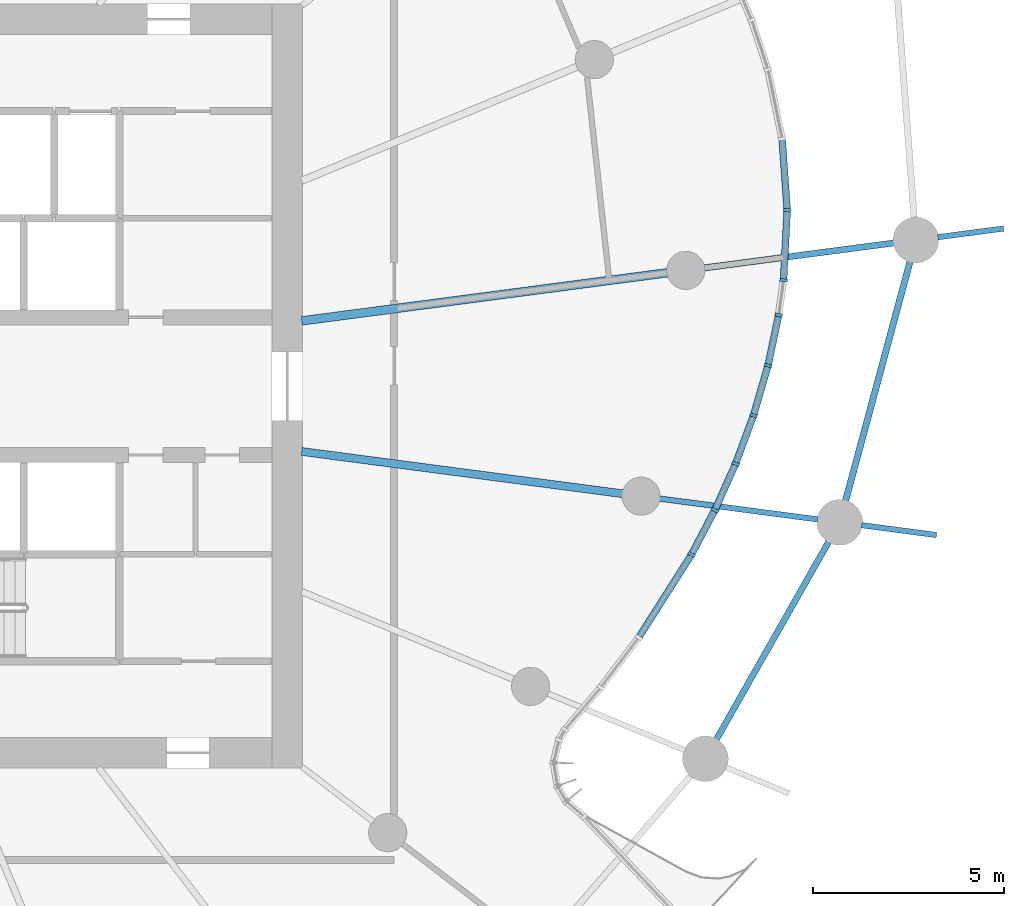
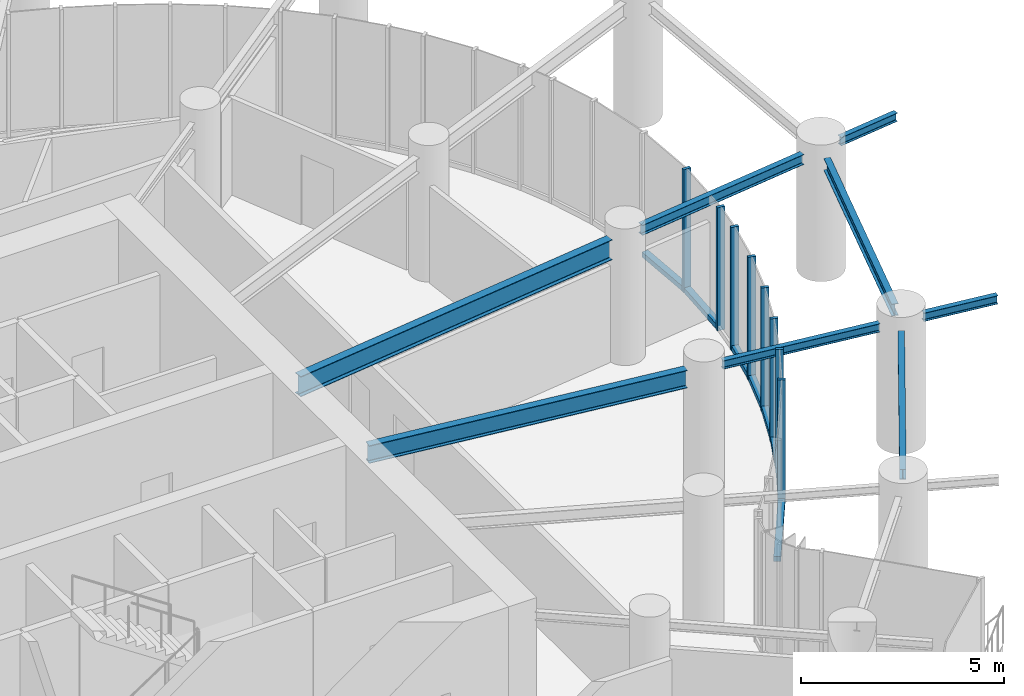
# One storey, part 5 of 21: 16 members, 8 beams, 2 elements without a shape of their own.
"""IFC4 building model written with IfcOpenShell, lengths in metres."""

from ifc_helpers import new_model, si_unit, direction, frame, origin, origin_2d, place, context, subcontext, project, spatial, rectangle, i_section, extrude, source, transform, mapped, material, layer, layer_set, material_profile, profile_set, type_object, element, aggregate, save


model = new_model("IFC4")

# Units and contexts
model_context = context("Model", 3, precision=1e-05, world=origin(), true_north=direction((0.0, 1.0)))
body_context = subcontext(model_context, "Body", "Model", "MODEL_VIEW")
ifc_project = project(units=[si_unit("LENGTHUNIT", "METRE"), si_unit("AREAUNIT", "SQUARE_METRE"), si_unit("VOLUMEUNIT", "CUBIC_METRE"), si_unit("PLANEANGLEUNIT", "RADIAN"), si_unit("MASSUNIT", "GRAM", prefix="KILO")], contexts=[model_context])

# Site, building, storey
site_placement = place(None, origin())
site = spatial("IfcSite", under=ifc_project, at=site_placement, CompositionType="ELEMENT")
building_placement = place(site_placement, origin())
building = spatial("IfcBuilding", under=site, at=building_placement, Name="Spindrift Exchange Tower", CompositionType="ELEMENT")
storey_placement = place(building_placement, frame((0.0, 0.0, 83.89990234375)))
storey = spatial("IfcBuildingStorey", under=building, at=storey_placement, Name="L19", CompositionType="ELEMENT", Elevation=83.89990234375)

# Beams
ifc_material_1 = material(Name="Steel Grade 300", Category="steel")
ifc_material_profile_1 = material_profile(ifc_material_1, i_section(OverallWidth=0.22802734375, OverallDepth=0.60693359375, WebThickness=0.01123046875, FlangeThickness=0.017333984375, FilletRadius=0.013916015625, at=origin_2d()), Name="610UB113")
ifc_profile_set_1 = profile_set([ifc_material_profile_1], Name="Steel Grade 300")
beam_type_1 = type_object("IfcBeamType", Name="Floor Beam 610UB113 Steel Grade 300", PredefinedType="BEAM", material=ifc_profile_set_1)
shared_shape_1 = source(origin(), body_context, "Body", "SweptSolid", [
    extrude(i_section(OverallWidth=0.22802734375, OverallDepth=0.60693359375, WebThickness=0.01123046875, FlangeThickness=0.017333984375, FilletRadius=0.013916015625, at=origin_2d()), origin(), (0.0, 0.0, 1.0), 9.660400390625),
])
beam_1_placement = place(storey_placement, frame((64.980224609375, 49.708984375, 3.396484375), z_axis=(0.99144767089, 0.130504850054, 0.0), x_axis=(-0.130504850054, 0.99144767089, 0.0)))
element("IfcBeam", 1, at=beam_1_placement, inside=storey, type_object=beam_type_1, Name="L19 radial beam R01A", PredefinedType="BEAM", context=body_context, shape_type="MappedRepresentation", body=[
    mapped(shared_shape_1, transform((0.0, 0.0, 0.0), scale=1.0)),
])
ifc_material_profile_2 = material_profile(ifc_material_1, i_section(OverallWidth=0.208984375, OverallDepth=0.532958984375, WebThickness=0.01025390625, FlangeThickness=0.015625, FilletRadius=0.013916015625, at=origin_2d()), Name="530UB92.4")
ifc_profile_set_2 = profile_set([ifc_material_profile_2], Name="Steel Grade 300")
beam_type_2 = type_object("IfcBeamType", Name="Floor Beam 530UB92.4 Steel Grade 300", PredefinedType="BEAM", material=ifc_profile_set_2)
shared_shape_2 = source(origin(), body_context, "Body", "SweptSolid", [
    extrude(i_section(OverallWidth=0.208984375, OverallDepth=0.532958984375, WebThickness=0.01025390625, FlangeThickness=0.015625, FilletRadius=0.013916015625, at=origin_2d()), origin(), (0.0, 0.0, 1.0), 8.4794921875),
])
beam_2_placement = place(storey_placement, frame((64.980224609375, 46.291015625, 3.43359375), z_axis=(0.991446551951, -0.13051335037, 0.0), x_axis=(0.13051335037, 0.991446551951, 0.0)))
element("IfcBeam", 2, at=beam_2_placement, inside=storey, type_object=beam_type_2, Name="L19 radial beam R24A", PredefinedType="BEAM", context=body_context, shape_type="MappedRepresentation", body=[
    mapped(shared_shape_2, transform((0.0, 0.0, 0.0), scale=1.0)),
])
ifc_material_profile_3 = material_profile(ifc_material_1, i_section(OverallWidth=0.1650390625, OverallDepth=0.303955078125, WebThickness=0.006103515625, FlangeThickness=0.01025390625, FilletRadius=0.011474609375, at=origin_2d()), Name="310UB40.4")
ifc_profile_set_3 = profile_set([ifc_material_profile_3], Name="Steel Grade 300")
beam_type_3 = type_object("IfcBeamType", Name="Floor Beam 310UB40.4 Steel Grade 300", PredefinedType="BEAM", material=ifc_profile_set_3)
shared_shape_3 = source(origin(), body_context, "Body", "SweptSolid", [
    extrude(i_section(OverallWidth=0.1650390625, OverallDepth=0.303955078125, WebThickness=0.006103515625, FlangeThickness=0.01025390625, FilletRadius=0.011474609375, at=origin_2d()), origin(), (0.0, 0.0, 1.0), 5.014404296875),
])
beam_3_placement = place(storey_placement, frame((75.509765625, 51.09521484375, 3.548095703125), z_axis=(0.99145015202, 0.13048599948, 0.0), x_axis=(-0.13048599948, 0.99145015202, 0.0)))
element("IfcBeam", 3, at=beam_3_placement, inside=storey, type_object=beam_type_3, Name="L19 radial beam R01B", PredefinedType="BEAM", context=body_context, shape_type="MappedRepresentation", body=[
    mapped(shared_shape_3, transform((0.0, 0.0, 0.0), scale=1.0)),
])
ifc_material_profile_4 = material_profile(ifc_material_1, i_section(OverallWidth=0.14599609375, OverallDepth=0.251953125, WebThickness=0.006103515625, FlangeThickness=0.008544921875, FilletRadius=0.011962890625, at=origin_2d()), Name="250UB31.4")
ifc_profile_set_4 = profile_set([ifc_material_profile_4], Name="Steel Grade 300")
beam_type_4 = type_object("IfcBeamType", Name="Floor Beam 250UB31.4 Steel Grade 300", PredefinedType="BEAM", material=ifc_profile_set_4)
shared_shape_4 = source(origin(), body_context, "Body", "SweptSolid", [
    extrude(i_section(OverallWidth=0.14599609375, OverallDepth=0.251953125, WebThickness=0.006103515625, FlangeThickness=0.008544921875, FilletRadius=0.011962890625, at=origin_2d()), origin(), (0.0, 0.0, 1.0), 4.186279296875),
])
beam_4_placement = place(storey_placement, frame((74.339111328125, 45.05908203125, 3.57421875), z_axis=(0.991445559167, -0.130520891848, 0.0), x_axis=(0.130520891848, 0.991445559167, 0.0)))
element("IfcBeam", 4, at=beam_4_placement, inside=storey, type_object=beam_type_4, Name="L19 radial beam R24B", PredefinedType="BEAM", context=body_context, shape_type="MappedRepresentation", body=[
    mapped(shared_shape_4, transform((0.0, 0.0, 0.0), scale=1.0)),
])
ifc_material_profile_5 = material_profile(ifc_material_1, i_section(OverallWidth=0.1650390625, OverallDepth=0.303955078125, WebThickness=0.006103515625, FlangeThickness=0.01025390625, FilletRadius=0.011474609375, at=origin_2d()), Name="310UB40.4")
ifc_profile_set_5 = profile_set([ifc_material_profile_5], Name="Steel Grade 300")
beam_type_5 = type_object("IfcBeamType", Name="Edge Beam 310UB40.4 Steel Grade 300", PredefinedType="SPANDREL", material=ifc_profile_set_5)
shared_shape_5 = source(origin(), body_context, "Body", "SweptSolid", [
    extrude(i_section(OverallWidth=0.1650390625, OverallDepth=0.303955078125, WebThickness=0.006103515625, FlangeThickness=0.01025390625, FilletRadius=0.011474609375, at=origin_2d()), origin(), (0.0, 0.0, 1.0), 5.9599609375),
])
beam_5_placement = place(storey_placement, frame((75.834228515625, 38.75048828125, 3.548095703125), z_axis=(0.493940434745, 0.869495742901, 0.0), x_axis=(-0.869495742901, 0.493940434745, 0.0)))
element("IfcBeam", 5, at=beam_5_placement, inside=storey, type_object=beam_type_5, Name="L19 edge beam E23", PredefinedType="SPANDREL", context=body_context, shape_type="MappedRepresentation", body=[
    mapped(shared_shape_5, transform((0.0, 0.0, 0.0), scale=1.0)),
])
ifc_material_profile_6 = material_profile(ifc_material_1, i_section(OverallWidth=0.172119140625, OverallDepth=0.35888671875, WebThickness=0.008056640625, FlangeThickness=0.012939453125, FilletRadius=0.013916015625, at=origin_2d()), Name="360UB56.7")
ifc_profile_set_6 = profile_set([ifc_material_profile_6], Name="Steel Grade 300")
beam_type_6 = type_object("IfcBeamType", Name="Edge Beam 360UB56.7 Steel Grade 300", PredefinedType="SPANDREL", material=ifc_profile_set_6)
shared_shape_6 = source(origin(), body_context, "Body", "SweptSolid", [
    extrude(i_section(OverallWidth=0.172119140625, OverallDepth=0.35888671875, WebThickness=0.008056640625, FlangeThickness=0.012939453125, FilletRadius=0.013916015625, at=origin_2d()), origin(), (0.0, 0.0, 1.0), 6.4921875),
])
beam_6_placement = place(storey_placement, frame((79.215576171875, 44.996826171875, 3.5205078125), z_axis=(0.260262058381, 0.965538016324, 0.0), x_axis=(-0.965538016324, 0.260262058381, 0.0)))
element("IfcBeam", 6, at=beam_6_placement, inside=storey, type_object=beam_type_6, Name="L19 edge beam E24", PredefinedType="SPANDREL", context=body_context, shape_type="MappedRepresentation", body=[
    mapped(shared_shape_6, transform((0.0, 0.0, 0.0), scale=1.0)),
])
ifc_material_profile_7 = material_profile(ifc_material_1, i_section(OverallWidth=0.14599609375, OverallDepth=0.251953125, WebThickness=0.006103515625, FlangeThickness=0.008544921875, FilletRadius=0.011962890625, at=origin_2d()), Name="250UB31.4")
ifc_profile_set_7 = profile_set([ifc_material_profile_7], Name="Steel Grade 300")
beam_type_7 = type_object("IfcBeamType", Name="Cantilever Beam 250UB31.4 Steel Grade 300", PredefinedType="BEAM", material=ifc_profile_set_7)
shared_shape_7 = source(origin(), body_context, "Body", "SweptSolid", [
    extrude(i_section(OverallWidth=0.14599609375, OverallDepth=0.251953125, WebThickness=0.006103515625, FlangeThickness=0.008544921875, FilletRadius=0.011962890625, at=origin_2d()), origin(), (0.0, 0.0, 1.0), 1.738037109375),
])
beam_7_placement = place(storey_placement, frame((81.63134765625, 51.90087890625, 3.57421875), z_axis=(0.991430373344, 0.130636192577, 0.0), x_axis=(-0.130636192577, 0.991430373344, 0.0)))
element("IfcBeam", 7, at=beam_7_placement, inside=storey, type_object=beam_type_7, Name="L19 cantilever beam R01T", PredefinedType="BEAM", context=body_context, shape_type="MappedRepresentation", body=[
    mapped(shared_shape_7, transform((0.0, 0.0, 0.0), scale=1.0)),
])
shared_shape_8 = source(origin(), body_context, "Body", "SweptSolid", [
    extrude(i_section(OverallWidth=0.14599609375, OverallDepth=0.251953125, WebThickness=0.006103515625, FlangeThickness=0.008544921875, FilletRadius=0.011962890625, at=origin_2d()), origin(), (0.0, 0.0, 1.0), 1.974609375),
])
beam_8_placement = place(storey_placement, frame((79.639404296875, 44.361083984375, 3.57421875), z_axis=(0.991456399539, -0.130438521201, 0.0), x_axis=(0.130438521201, 0.991456399539, 0.0)))
element("IfcBeam", 8, at=beam_8_placement, inside=storey, type_object=beam_type_7, Name="L19 cantilever beam R24T", PredefinedType="BEAM", context=body_context, shape_type="MappedRepresentation", body=[
    mapped(shared_shape_8, transform((0.0, 0.0, 0.0), scale=1.0)),
])

# Curtain wall, members
ifc_material_2 = material(Name="Fritted laminated glass with bronze frame", Category="glass")
ifc_layer = layer(ifc_material_2, 0.199951171875)
ifc_layer_set = layer_set([ifc_layer], Name="SKY GARDEN BRONZE GLAZED WALL")
curtain_wall_type = type_object("IfcCurtainWallType", Name="SKY GARDEN BRONZE GLAZED WALL", PredefinedType="NOTDEFINED", material=ifc_layer_set)
curtain_wall_1_placement = place(storey_placement, origin())
curtain_wall_1 = element("IfcCurtainWall", 9, at=curtain_wall_1_placement, inside=storey, type_object=curtain_wall_type, Name="L19 Sky Garden Bronze Glazed Wall run 8", PredefinedType="NOTDEFINED")
ifc_material_3 = material(Name="Bronze anodised aluminium", Category="aluminium")
ifc_material_profile_8 = material_profile(ifc_material_3, rectangle(XDim=0.179931640625, YDim=0.14990234375, at=origin_2d()), Name="SKY GARDEN BRONZE GLAZED WALL TRANSOM 180X150")
ifc_profile_set_8 = profile_set([ifc_material_profile_8], Name="Bronze anodised aluminium")
member_type_1 = type_object("IfcMemberType", Name="SKY GARDEN BRONZE GLAZED WALL TRANSOM 180X150", PredefinedType="USERDEFINED", material=ifc_profile_set_8)
shared_shape_9 = source(origin(), body_context, "Body", "SweptSolid", [
    extrude(rectangle(XDim=0.179931640625, YDim=0.14990234375, at=origin_2d()), origin(), (0.0, 0.0, 1.0), 2.4892578125),
])
member_1_placement = place(storey_placement, frame((73.826904296875, 41.455810546875, 0.0751953125), z_axis=(0.536761259427, 0.843734170446, 0.0), x_axis=(-0.843734170446, 0.536761259427, 0.0)))
member_1 = element("IfcMember", 10, at=member_1_placement, type_object=member_type_1, Name="L19 transom CW-G.44", ObjectType="TRANSOM", PredefinedType="USERDEFINED", context=body_context, shape_type="MappedRepresentation", body=[
    mapped(shared_shape_9, transform((0.0, 0.0, 0.0), scale=1.0)),
])
shared_shape_10 = source(origin(), body_context, "Body", "SweptSolid", [
    extrude(rectangle(XDim=0.179931640625, YDim=0.14990234375, at=origin_2d()), origin(), (0.0, 0.0, 1.0), 1.228515625),
])
member_2_placement = place(storey_placement, frame((75.205810546875, 43.629638671875, 0.0751953125), z_axis=(0.464066404538, 0.885800413287, 0.0), x_axis=(-0.885800413287, 0.464066404538, 0.0)))
member_2 = element("IfcMember", 11, at=member_2_placement, type_object=member_type_1, Name="L19 transom CW-G.45", ObjectType="TRANSOM", PredefinedType="USERDEFINED", context=body_context, shape_type="MappedRepresentation", body=[
    mapped(shared_shape_10, transform((0.0, 0.0, 0.0), scale=1.0)),
])
shared_shape_11 = source(origin(), body_context, "Body", "SweptSolid", [
    extrude(rectangle(XDim=0.179931640625, YDim=0.14990234375, at=origin_2d()), origin(), (0.0, 0.0, 1.0), 1.246826171875),
])
member_3_placement = place(storey_placement, frame((75.81298828125, 44.794189453125, 0.0751953125), z_axis=(0.408825392678, 0.912612622256, 0.0), x_axis=(-0.912612622256, 0.408825392678, 0.0)))
member_3 = element("IfcMember", 12, at=member_3_placement, type_object=member_type_1, Name="L19 transom CW-G.46", ObjectType="TRANSOM", PredefinedType="USERDEFINED", context=body_context, shape_type="MappedRepresentation", body=[
    mapped(shared_shape_11, transform((0.0, 0.0, 0.0), scale=1.0)),
])

curtain_wall_2_placement = place(storey_placement, origin())
curtain_wall_2 = element("IfcCurtainWall", 13, at=curtain_wall_2_placement, inside=storey, type_object=curtain_wall_type, Name="L19 Sky Garden Bronze Glazed Wall run 9", PredefinedType="NOTDEFINED")
shared_shape_12 = source(origin(), body_context, "Body", "SweptSolid", [
    extrude(rectangle(XDim=0.179931640625, YDim=0.14990234375, at=origin_2d()), origin(), (0.0, 0.0, 1.0), 1.266357421875),
])
member_4_placement = place(storey_placement, frame((77.197021484375, 48.5830078125, 0.0751953125), z_axis=(0.205339953671, 0.978690708767, 0.0), x_axis=(-0.978690708767, 0.205339953671, 0.0)))
member_4 = element("IfcMember", 14, at=member_4_placement, type_object=member_type_1, Name="L19 transom CW-G.49", ObjectType="TRANSOM", PredefinedType="USERDEFINED", context=body_context, shape_type="MappedRepresentation", body=[
    mapped(shared_shape_12, transform((0.0, 0.0, 0.0), scale=1.0)),
])
shared_shape_13 = source(origin(), body_context, "Body", "SweptSolid", [
    extrude(rectangle(XDim=0.179931640625, YDim=0.14990234375, at=origin_2d()), origin(), (0.0, 0.0, 1.0), 1.756103515625),
])
member_5_placement = place(storey_placement, frame((77.595458984375, 50.81494140625, 0.0751953125), z_axis=(0.052551536217, 0.998618213353, 0.0), x_axis=(-0.998618213353, 0.052551536217, 0.0)))
member_5 = element("IfcMember", 15, at=member_5_placement, type_object=member_type_1, Name="L19 transom CW-G.51", ObjectType="TRANSOM", PredefinedType="USERDEFINED", context=body_context, shape_type="MappedRepresentation", body=[
    mapped(shared_shape_13, transform((0.0, 0.0, 0.0), scale=1.0)),
])

# Member
ifc_material_profile_9 = material_profile(ifc_material_3, rectangle(XDim=0.0849609375, YDim=0.199951171875, at=origin_2d()), Name="SKY GARDEN BRONZE GLAZED WALL MULLION 85X200")
ifc_profile_set_9 = profile_set([ifc_material_profile_9], Name="Bronze anodised aluminium")
member_type_2 = type_object("IfcMemberType", Name="SKY GARDEN BRONZE GLAZED WALL MULLION 85X200", PredefinedType="MULLION", material=ifc_profile_set_9)
shared_shape_14 = source(origin(), body_context, "Body", "SweptSolid", [
    extrude(rectangle(XDim=0.0849609375, YDim=0.199951171875, at=origin_2d()), origin(), (0.0, 0.0, 1.0), 3.7001953125),
])
member_6_placement = place(storey_placement, frame((75.18603515625, 43.592041015625, 0.0), z_axis=(0.0, 0.0, 1.0), x_axis=(0.500939092037, 0.865482539436, 0.0)))
member_6 = element("IfcMember", 16, at=member_6_placement, type_object=member_type_2, Name="L19 mullion CW-G.45", PredefinedType="MULLION", context=body_context, shape_type="MappedRepresentation", body=[
    mapped(shared_shape_14, transform((0.0, 0.0, 0.0), scale=1.0)),
])

member_7_placement = place(storey_placement, frame((75.795654296875, 44.75537109375, 0.0), z_axis=(0.0, 0.0, 1.0), x_axis=(0.436694386363, 0.899609922644, 0.0)))
member_7 = element("IfcMember", 17, at=member_7_placement, type_object=member_type_2, Name="L19 mullion CW-G.46", PredefinedType="MULLION", context=body_context, shape_type="MappedRepresentation", body=[
    mapped(shared_shape_14, transform((0.0, 0.0, 0.0), scale=1.0)),
])

member_8_placement = place(storey_placement, frame((76.340087890625, 45.970703125, 0.0), z_axis=(0.0, 0.0, 1.0), x_axis=(0.378207848177, 0.925720704952, 0.0)))
member_8 = element("IfcMember", 18, at=member_8_placement, type_object=member_type_2, Name="L19 mullion CW-G.47", PredefinedType="MULLION", context=body_context, shape_type="MappedRepresentation", body=[
    mapped(shared_shape_14, transform((0.0, 0.0, 0.0), scale=1.0)),
])

member_9_placement = place(storey_placement, frame((76.80810546875, 47.234619140625, 0.0), z_axis=(0.0, 0.0, 1.0), x_axis=(0.313499587174, 0.949588336513, 0.0)))
member_9 = element("IfcMember", 19, at=member_9_placement, type_object=member_type_2, Name="L19 mullion CW-G.48", PredefinedType="MULLION", context=body_context, shape_type="MappedRepresentation", body=[
    mapped(shared_shape_14, transform((0.0, 0.0, 0.0), scale=1.0)),
])

member_10_placement = place(storey_placement, frame((77.188232421875, 48.54150390625, 0.0), z_axis=(0.0, 0.0, 1.0), x_axis=(0.242541019051, 0.970141151626, 0.0)))
member_10 = element("IfcMember", 20, at=member_10_placement, type_object=member_type_2, Name="L19 mullion CW-G.49", PredefinedType="MULLION", context=body_context, shape_type="MappedRepresentation", body=[
    mapped(shared_shape_14, transform((0.0, 0.0, 0.0), scale=1.0)),
])

member_11_placement = place(storey_placement, frame((77.4658203125, 49.864013671875, 0.0), z_axis=(0.0, 0.0, 1.0), x_axis=(0.172266337026, 0.985050409435, 0.0)))
member_11 = element("IfcMember", 21, at=member_11_placement, type_object=member_type_2, Name="L19 mullion CW-G.50", PredefinedType="MULLION", context=body_context, shape_type="MappedRepresentation", body=[
    mapped(shared_shape_14, transform((0.0, 0.0, 0.0), scale=1.0)),
])

member_12_placement = place(storey_placement, frame((77.59326171875, 50.7724609375, 0.0), z_axis=(0.0, 0.0, 1.0), x_axis=(0.095807819972, 0.995399850127, 0.0)))
member_12 = element("IfcMember", 22, at=member_12_placement, type_object=member_type_2, Name="L19 mullion CW-G.51", PredefinedType="MULLION", context=body_context, shape_type="MappedRepresentation", body=[
    mapped(shared_shape_14, transform((0.0, 0.0, 0.0), scale=1.0)),
])

member_13_placement = place(storey_placement, frame((77.68994140625, 52.611083984375, 0.0), z_axis=(0.0, 0.0, 1.0), x_axis=(-0.009406313061, 0.999955759659, 0.0)))
member_13 = element("IfcMember", 23, at=member_13_placement, type_object=member_type_2, Name="L19 mullion CW-G.52", PredefinedType="MULLION", context=body_context, shape_type="MappedRepresentation", body=[
    mapped(shared_shape_14, transform((0.0, 0.0, 0.0), scale=1.0)),
])

shared_shape_15 = source(origin(), body_context, "Body", "SweptSolid", [
    extrude(rectangle(XDim=0.179931640625, YDim=0.14990234375, at=origin_2d()), origin(), (0.0, 0.0, 1.0), 1.2626953125),
])
member_14_placement = place(storey_placement, frame((76.354736328125, 46.0107421875, 0.0751953125), z_axis=(0.347433995935, 0.937704440892, 0.0), x_axis=(-0.937704440892, 0.347433995935, 0.0)))
member_14 = element("IfcMember", 24, at=member_14_placement, type_object=member_type_1, Name="L19 transom CW-G.47", ObjectType="TRANSOM", PredefinedType="USERDEFINED", context=body_context, shape_type="MappedRepresentation", body=[
    mapped(shared_shape_15, transform((0.0, 0.0, 0.0), scale=1.0)),
])

aggregate(curtain_wall_1, [member_1, member_6, member_2, member_7, member_3, member_8, member_14])

shared_shape_16 = source(origin(), body_context, "Body", "SweptSolid", [
    extrude(rectangle(XDim=0.179931640625, YDim=0.14990234375, at=origin_2d()), origin(), (0.0, 0.0, 1.0), 1.276123046875),
])
member_15_placement = place(storey_placement, frame((76.820068359375, 47.275390625, 0.0751953125), z_axis=(0.279316712759, 0.960199028313, 0.0), x_axis=(-0.960199028313, 0.279316712759, 0.0)))
member_15 = element("IfcMember", 25, at=member_15_placement, type_object=member_type_1, Name="L19 transom CW-G.48", ObjectType="TRANSOM", PredefinedType="USERDEFINED", context=body_context, shape_type="MappedRepresentation", body=[
    mapped(shared_shape_16, transform((0.0, 0.0, 0.0), scale=1.0)),
])

shared_shape_17 = source(origin(), body_context, "Body", "SweptSolid", [
    extrude(rectangle(XDim=0.179931640625, YDim=0.14990234375, at=origin_2d()), origin(), (0.0, 0.0, 1.0), 1.78466796875),
])
member_16_placement = place(storey_placement, frame((77.686767578125, 52.6533203125, 0.0751953125), z_axis=(-0.071140103308, 0.997466333117, 0.0), x_axis=(-0.997466333117, -0.071140103308, 0.0)))
member_16 = element("IfcMember", 26, at=member_16_placement, type_object=member_type_1, Name="L19 transom CW-G.52", ObjectType="TRANSOM", PredefinedType="USERDEFINED", context=body_context, shape_type="MappedRepresentation", body=[
    mapped(shared_shape_17, transform((0.0, 0.0, 0.0), scale=1.0)),
])

aggregate(curtain_wall_2, [member_9, member_15, member_10, member_4, member_11, member_12, member_5, member_13, member_16])

save(model, "model.ifc")
